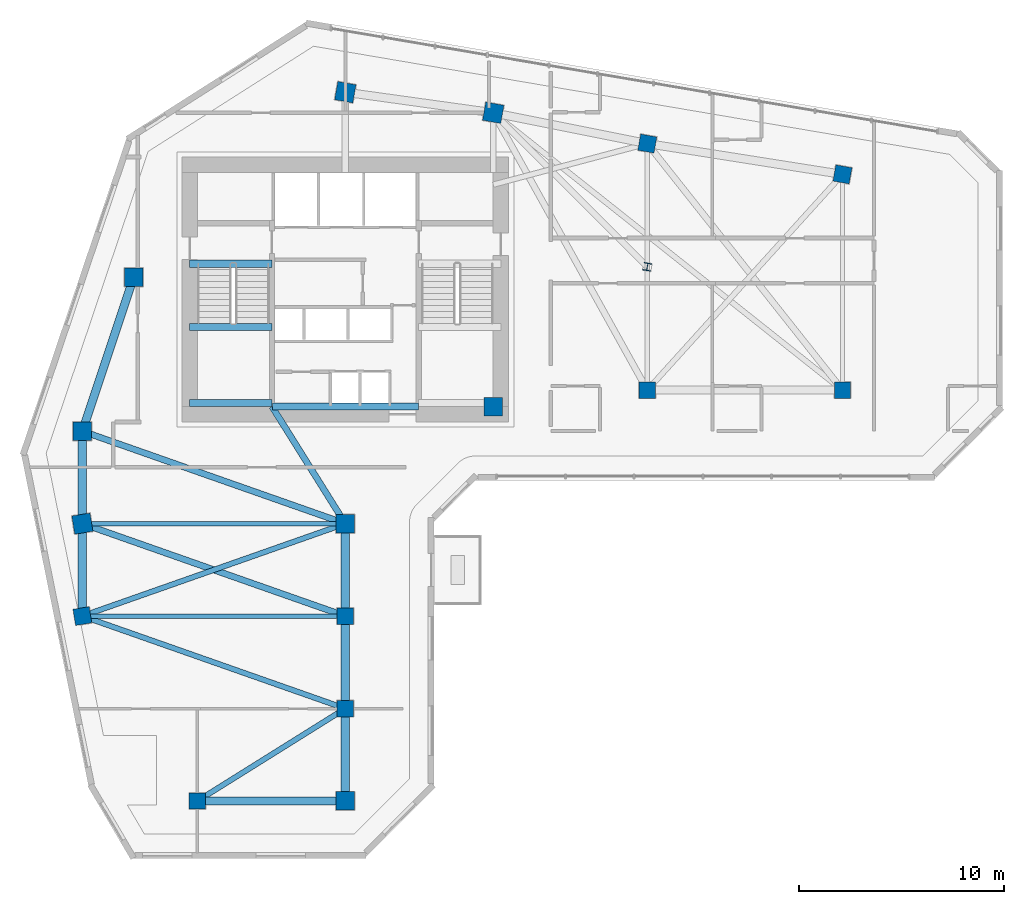
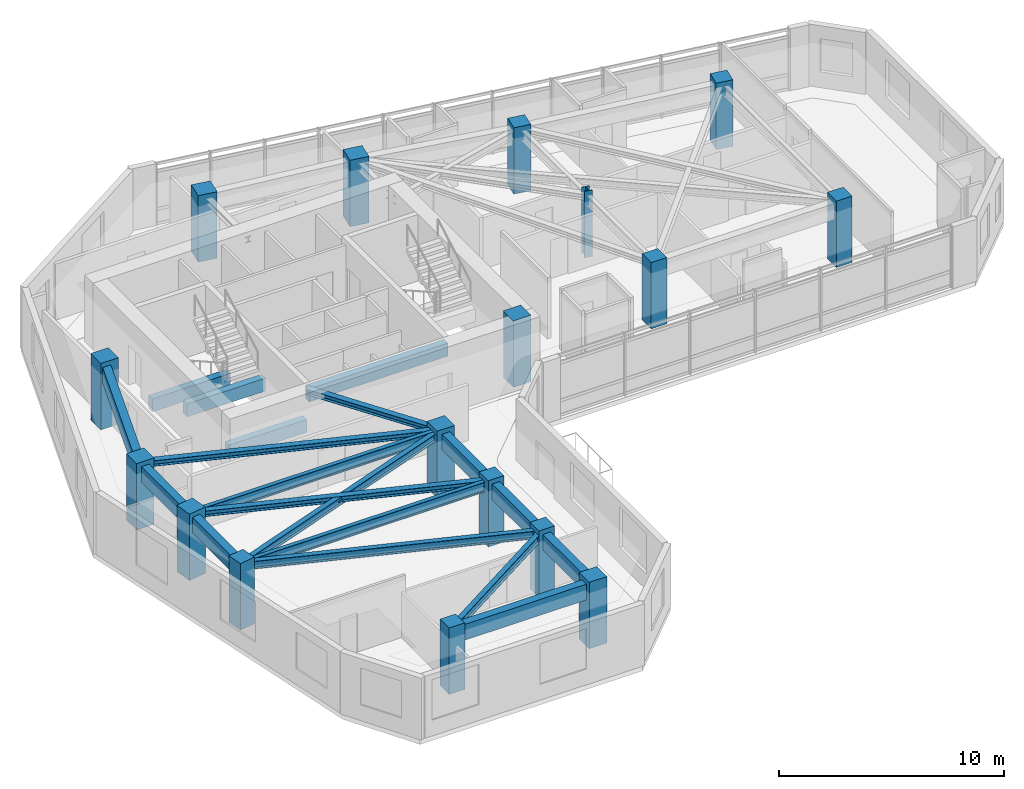
# One storey, part 1 of 10: 19 beams, 17 columns.
"""IFC4 building model written with IfcOpenShell, lengths in metres."""

from ifc_helpers import new_model, si_unit, direction, frame, origin, origin_2d, place, context, subcontext, project, spatial, rectangle, i_section, extrude, source, transform, mapped, material, material_profile, profile_set, type_object, element, save


model = new_model("IFC4")

# Units and contexts
model_context = context("Model", 3, precision=1e-05, world=origin(), true_north=direction((0.0, 1.0)))
body_context = subcontext(model_context, "Body", "Model", "MODEL_VIEW")
ifc_project = project(units=[si_unit("LENGTHUNIT", "METRE"), si_unit("AREAUNIT", "SQUARE_METRE"), si_unit("VOLUMEUNIT", "CUBIC_METRE"), si_unit("PLANEANGLEUNIT", "RADIAN"), si_unit("MASSUNIT", "GRAM", prefix="KILO")], contexts=[model_context])

# Site, building, storey
site_placement = place(None, origin())
site = spatial("IfcSite", under=ifc_project, at=site_placement, CompositionType="ELEMENT")
building_placement = place(site_placement, origin())
building = spatial("IfcBuilding", under=site, at=building_placement, Name="Calvemar Wedge Station Tower", CompositionType="ELEMENT")
storey_placement = place(building_placement, frame((0.0, 0.0, 153.800048828125)))
storey = spatial("IfcBuildingStorey", under=building, at=storey_placement, Name="L38", CompositionType="ELEMENT", Elevation=153.800048828125)

# Columns
ifc_material_1 = material(Name="Concrete C60", Category="concrete")
ifc_material_profile_1 = material_profile(ifc_material_1, rectangle(XDim=0.89990234375, YDim=0.89990234375, at=origin_2d()), Name="RC900x900")
ifc_profile_set_1 = profile_set([ifc_material_profile_1], Name="Concrete C60")
column_type_1 = type_object("IfcColumnType", Name="COL-C5-900", PredefinedType="COLUMN", material=ifc_profile_set_1)
shared_shape_1 = source(origin(), body_context, "Body", "SweptSolid", [
    extrude(rectangle(XDim=0.89990234375, YDim=0.89990234375, at=origin_2d()), origin(), (0.0, 0.0, 1.0), 3.599853515625),
])
for number, where, z_axis, x_axis, name in (
    (1, (11.0, 33.0, 0.0), (0.0, 0.0, 1.0), (1.0, 0.0, 0.0), "Storey L38 Column T-NW1"),
    (2, (13.5, 40.5, 0.0), (0.0, 0.0, 1.0), (1.0, 0.0, 0.0), "Storey L38 Column T-NW2"),
    (3, (23.800048828125, 49.5, 0.0), (0.0, 0.0, 1.0), (0.984195607969, -0.17708474032, 0.0), "Storey L38 Column T-N1"),
    (4, (31.0, 48.5, 0.0), (0.0, 0.0, 1.0), (0.984195607969, -0.17708474032, 0.0), "Storey L38 Column T-N2"),
    (5, (31.0, 34.199951171875, 0.0), (0.0, 0.0, 1.0), (1.0, 0.0, 0.0), "Storey L38 Column T-NL1"),
    (6, (11.0, 28.5, 0.0), (0.0, 0.0, 1.0), (0.158158067254, -0.987413806751, 0.0), "Storey L38 Column T-SW1"),
    (7, (23.800048828125, 28.5, 0.0), (0.0, 0.0, 1.0), (1.0, 0.0, 0.0), "Storey L38 Column T-SE1"),
    (8, (23.800048828125, 15.0, 0.0), (0.0, 0.0, 1.0), (1.0, 0.0, 0.0), "Storey L38 Column T-SE4"),
):
    element("IfcColumn", number, at=place(storey_placement, frame(where, z_axis=z_axis, x_axis=x_axis)), inside=storey, type_object=column_type_1, Name=name, PredefinedType="COLUMN", context=body_context, shape_type="MappedRepresentation", body=[
        mapped(shared_shape_1, transform((0.0, 0.0, 0.0), scale=1.0)),
    ])
ifc_material_2 = material(Name="Concrete C50", Category="concrete")
ifc_material_profile_2 = material_profile(ifc_material_2, rectangle(XDim=0.800048828125, YDim=0.800048828125, at=origin_2d()), Name="RC800x800")
ifc_profile_set_2 = profile_set([ifc_material_profile_2], Name="Concrete C50")
column_type_2 = type_object("IfcColumnType", Name="COL-C6-800", PredefinedType="COLUMN", material=ifc_profile_set_2)
shared_shape_2 = source(origin(), body_context, "Body", "SweptSolid", [
    extrude(rectangle(XDim=0.800048828125, YDim=0.800048828125, at=origin_2d()), origin(), (0.0, 0.0, 1.0), 3.599853515625),
])
for number, where, z_axis, x_axis, name in (
    (9, (38.5, 47.0, 0.0), (0.0, 0.0, 1.0), (0.984195607969, -0.17708474032, 0.0), "Storey L38 Column T-NU3"),
    (10, (48.0, 45.5, 0.0), (0.0, 0.0, 1.0), (0.984195607969, -0.17708474032, 0.0), "Storey L38 Column T-NU4"),
    (11, (38.5, 35.0, 0.0), (0.0, 0.0, 1.0), (1.0, 0.0, 0.0), "Storey L38 Column T-NL2"),
    (12, (48.0, 35.0, 0.0), (0.0, 0.0, 1.0), (1.0, 0.0, 0.0), "Storey L38 Column T-NL3"),
    (13, (11.0, 24.0, 0.0), (0.0, 0.0, 1.0), (0.158158067254, -0.987413806751, 0.0), "Storey L38 Column T-SW2"),
    (14, (23.800048828125, 24.0, 0.0), (0.0, 0.0, 1.0), (1.0, 0.0, 0.0), "Storey L38 Column T-SE2"),
    (15, (23.800048828125, 19.5, 0.0), (0.0, 0.0, 1.0), (1.0, 0.0, 0.0), "Storey L38 Column T-SE3"),
    (16, (16.60009765625, 15.0, 0.0), (0.0, 0.0, 1.0), (1.0, 0.0, 0.0), "Storey L38 Column T-SM1"),
):
    element("IfcColumn", number, at=place(storey_placement, frame(where, z_axis=z_axis, x_axis=x_axis)), inside=storey, type_object=column_type_2, Name=name, PredefinedType="COLUMN", context=body_context, shape_type="MappedRepresentation", body=[
        mapped(shared_shape_2, transform((0.0, 0.0, 0.0), scale=1.0)),
    ])
ifc_material_3 = material(Name="Structural steel ASTM A572 Grade 50", Category="steel")
ifc_material_profile_3 = material_profile(ifc_material_3, i_section(OverallWidth=0.3740234375, OverallDepth=0.3720703125, WebThickness=0.016357421875, FlangeThickness=0.026123046875, FilletRadius=0.014892578125, at=origin_2d()), Name="W360x196")
ifc_profile_set_3 = profile_set([ifc_material_profile_3], Name="Structural steel ASTM A572 Grade 50")
column_type_3 = type_object("IfcColumnType", Name="COL-STL-W360", PredefinedType="COLUMN", material=ifc_profile_set_3)
shared_shape_3 = source(origin(), body_context, "Body", "SweptSolid", [
    extrude(i_section(OverallWidth=0.3740234375, OverallDepth=0.3720703125, WebThickness=0.016357421875, FlangeThickness=0.026123046875, FilletRadius=0.014892578125, at=origin_2d()), origin(), (0.0, 0.0, 1.0), 3.599853515625),
])
column_placement = place(storey_placement, frame((38.5, 41.0, 0.0), z_axis=(0.0, 0.0, 1.0), x_axis=(0.984195607969, -0.17708474032, 0.0)))
element("IfcColumn", 17, at=column_placement, inside=storey, type_object=column_type_3, Name="Storey L38 Column T-NTIP-B", PredefinedType="COLUMN", context=body_context, shape_type="MappedRepresentation", body=[
    mapped(shared_shape_3, transform((0.0, 0.0, 0.0), scale=1.0)),
])

# Beams
ifc_material_profile_4 = material_profile(ifc_material_1, rectangle(XDim=0.39990234375, YDim=0.85009765625, at=origin_2d()), Name="RC400x850")
ifc_profile_set_4 = profile_set([ifc_material_profile_4], Name="Concrete C60")
beam_type_1 = type_object("IfcBeamType", Name="BM-SP1-850", PredefinedType="SPANDREL", material=ifc_profile_set_4)
shared_shape_4 = source(origin(), body_context, "Body", "SweptSolid", [
    extrude(rectangle(XDim=0.39990234375, YDim=0.85009765625, at=origin_2d()), origin(), (0.0, 0.0, 1.0), 7.90576171875),
])
beam_1_placement = place(storey_placement, frame((11.0, 33.0, 2.925048828125), z_axis=(0.316227766017, 0.948683298051, 0.0), x_axis=(-0.948683298051, 0.316227766017, 0.0)))
element("IfcBeam", 18, at=beam_1_placement, inside=storey, type_object=beam_type_1, Name="Storey L38 Spandrel T-NW1-T-NW2", PredefinedType="SPANDREL", context=body_context, shape_type="MappedRepresentation", body=[
    mapped(shared_shape_4, transform((0.0, 0.0, 0.0), scale=1.0)),
])
shared_shape_5 = source(origin(), body_context, "Body", "SweptSolid", [
    extrude(rectangle(XDim=0.39990234375, YDim=0.85009765625, at=origin_2d()), origin(), (0.0, 0.0, 1.0), 4.5),
])
for number, where, z_axis, x_axis, name in (
    (19, (11.0, 33.0, 2.925048828125), (0.0, -1.0, 0.0), (1.0, 0.0, 0.0), "Storey L38 Spandrel T-NW1-T-SW1"),
    (20, (11.0, 28.5, 2.925048828125), (0.0, -1.0, 0.0), (1.0, 0.0, 0.0), "Storey L38 Spandrel T-SW1-T-SW2"),
    (21, (23.800048828125, 28.5, 2.925048828125), (0.0, -1.0, 0.0), (1.0, 0.0, 0.0), "Storey L38 Spandrel T-SE1-T-SE2"),
    (22, (23.800048828125, 24.0, 2.925048828125), (0.0, -1.0, 0.0), (1.0, 0.0, 0.0), "Storey L38 Spandrel T-SE2-T-SE3"),
    (23, (23.800048828125, 19.5, 2.925048828125), (0.0, -1.0, 0.0), (1.0, 0.0, 0.0), "Storey L38 Spandrel T-SE3-T-SE4"),
):
    element("IfcBeam", number, at=place(storey_placement, frame(where, z_axis=z_axis, x_axis=x_axis)), inside=storey, type_object=beam_type_1, Name=name, PredefinedType="SPANDREL", context=body_context, shape_type="MappedRepresentation", body=[
        mapped(shared_shape_5, transform((0.0, 0.0, 0.0), scale=1.0)),
    ])
shared_shape_6 = source(origin(), body_context, "Body", "SweptSolid", [
    extrude(rectangle(XDim=0.39990234375, YDim=0.85009765625, at=origin_2d()), origin(), (0.0, 0.0, 1.0), 7.199951171875),
])
beam_2_placement = place(storey_placement, frame((16.60009765625, 15.0, 2.925048828125), z_axis=(1.0, 0.0, 0.0), x_axis=(0.0, 1.0, 0.0)))
element("IfcBeam", 24, at=beam_2_placement, inside=storey, type_object=beam_type_1, Name="Storey L38 Spandrel T-SM1-T-SE4", PredefinedType="SPANDREL", context=body_context, shape_type="MappedRepresentation", body=[
    mapped(shared_shape_6, transform((0.0, 0.0, 0.0), scale=1.0)),
])
ifc_material_4 = material(Name="Concrete C70", Category="concrete")
ifc_material_profile_5 = material_profile(ifc_material_4, rectangle(XDim=0.35009765625, YDim=0.699951171875, at=origin_2d()), Name="RC350x700")
ifc_profile_set_5 = profile_set([ifc_material_profile_5], Name="Concrete C70")
beam_type_2 = type_object("IfcBeamType", Name="BM-LN1-700", PredefinedType="LINTEL", material=ifc_profile_set_5)
shared_shape_7 = source(origin(), body_context, "Body", "SweptSolid", [
    extrude(rectangle(XDim=0.35009765625, YDim=0.699951171875, at=origin_2d()), origin(), (0.0, 0.0, 1.0), 7.10009765625),
])
beam_3_placement = place(storey_placement, frame((20.25, 34.199951171875, 3.0), z_axis=(1.0, 0.0, 0.0), x_axis=(0.0, 1.0, 0.0)))
element("IfcBeam", 25, at=beam_3_placement, inside=storey, type_object=beam_type_2, Name="Storey L38 Core Coupling Lintel South", PredefinedType="LINTEL", context=body_context, shape_type="MappedRepresentation", body=[
    mapped(shared_shape_7, transform((0.0, 0.0, 0.0), scale=1.0)),
])
ifc_material_profile_6 = material_profile(ifc_material_3, i_section(OverallWidth=0.304931640625, OverallDepth=0.30810546875, WebThickness=0.010009765625, FlangeThickness=0.015380859375, FilletRadius=0.014892578125, at=origin_2d()), Name="W310x97")
ifc_profile_set_6 = profile_set([ifc_material_profile_6], Name="Structural steel ASTM A572 Grade 50")
beam_type_3 = type_object("IfcBeamType", Name="BM-J6-W310", PredefinedType="JOIST", material=ifc_profile_set_6)
shared_shape_8 = source(origin(), body_context, "Body", "SweptSolid", [
    extrude(i_section(OverallWidth=0.304931640625, OverallDepth=0.30810546875, WebThickness=0.010009765625, FlangeThickness=0.015380859375, FilletRadius=0.014892578125, at=origin_2d()), origin(), (0.0, 0.0, 1.0), 13.568115234375),
])
for number, where, z_axis, x_axis, name in (
    (26, (11.0, 33.0, 3.196044921875), (0.943398221169, -0.331662171939, 0.0), (0.331662171939, 0.943398221169, 0.0), "Storey L38 Floor Beam T-NW1-T-SE1"),
    (27, (11.0, 28.5, 3.196044921875), (0.943398221169, -0.331662171939, 0.0), (0.331662171939, 0.943398221169, 0.0), "Storey L38 Floor Beam T-SW1-T-SE2"),
):
    element("IfcBeam", number, at=place(storey_placement, frame(where, z_axis=z_axis, x_axis=x_axis)), inside=storey, type_object=beam_type_3, Name=name, PredefinedType="JOIST", context=body_context, shape_type="MappedRepresentation", body=[
        mapped(shared_shape_8, transform((0.0, 0.0, 0.0), scale=1.0)),
    ])
ifc_material_profile_7 = material_profile(ifc_material_3, i_section(OverallWidth=0.260986328125, OverallDepth=0.419921875, WebThickness=0.01171875, FlangeThickness=0.019287109375, FilletRadius=0.012939453125, at=origin_2d()), Name="W410x114")
ifc_profile_set_7 = profile_set([ifc_material_profile_7], Name="Structural steel ASTM A572 Grade 50")
beam_type_4 = type_object("IfcBeamType", Name="BM-J2-W410H", PredefinedType="JOIST", material=ifc_profile_set_7)
shared_shape_9 = source(origin(), body_context, "Body", "SweptSolid", [
    extrude(i_section(OverallWidth=0.260986328125, OverallDepth=0.419921875, WebThickness=0.01171875, FlangeThickness=0.019287109375, FilletRadius=0.012939453125, at=origin_2d()), origin(), (0.0, 0.0, 1.0), 13.568115234375),
])
for number, where, z_axis, x_axis, name in (
    (28, (23.800048828125, 28.5, 3.139892578125), (-0.943398221169, -0.331662171939, 0.0), (0.331662171939, -0.943398221169, 0.0), "Storey L38 Floor Beam T-SE1-T-SW2"),
    (29, (11.0, 24.0, 3.139892578125), (0.943398221169, -0.331662171939, 0.0), (0.331662171939, 0.943398221169, 0.0), "Storey L38 Floor Beam T-SW2-T-SE3"),
):
    element("IfcBeam", number, at=place(storey_placement, frame(where, z_axis=z_axis, x_axis=x_axis)), inside=storey, type_object=beam_type_4, Name=name, PredefinedType="JOIST", context=body_context, shape_type="MappedRepresentation", body=[
        mapped(shared_shape_9, transform((0.0, 0.0, 0.0), scale=1.0)),
    ])
shared_shape_10 = source(origin(), body_context, "Body", "SweptSolid", [
    extrude(i_section(OverallWidth=0.260986328125, OverallDepth=0.419921875, WebThickness=0.01171875, FlangeThickness=0.019287109375, FilletRadius=0.012939453125, at=origin_2d()), origin(), (0.0, 0.0, 1.0), 8.490478515625),
])
beam_4_placement = place(storey_placement, frame((23.800048828125, 19.5, 3.139892578125), z_axis=(-0.847996688584, -0.530001524668, 0.0), x_axis=(0.530001524668, -0.847996688584, 0.0)))
element("IfcBeam", 30, at=beam_4_placement, inside=storey, type_object=beam_type_4, Name="Storey L38 Floor Beam T-SE3-T-SM1", PredefinedType="JOIST", context=body_context, shape_type="MappedRepresentation", body=[
    mapped(shared_shape_10, transform((0.0, 0.0, 0.0), scale=1.0)),
])
shared_shape_11 = source(origin(), body_context, "Body", "SweptSolid", [
    extrude(i_section(OverallWidth=0.304931640625, OverallDepth=0.30810546875, WebThickness=0.010009765625, FlangeThickness=0.015380859375, FilletRadius=0.014892578125, at=origin_2d()), origin(), (0.0, 0.0, 1.0), 6.7255859375),
])
beam_5_placement = place(storey_placement, frame((20.22998046875, 34.199951171875, 3.196044921875), z_axis=(0.530811158438, -0.847490126242, 0.0), x_axis=(0.847490126242, 0.530811158438, 0.0)))
element("IfcBeam", 31, at=beam_5_placement, inside=storey, type_object=beam_type_3, Name="Storey L38 Core-to-Column Joist CJ-S2", PredefinedType="JOIST", context=body_context, shape_type="MappedRepresentation", body=[
    mapped(shared_shape_11, transform((0.0, 0.0, 0.0), scale=1.0)),
])
shared_shape_12 = source(origin(), body_context, "Body", "SweptSolid", [
    extrude(rectangle(XDim=0.35009765625, YDim=0.699951171875, at=origin_2d()), origin(), (0.0, 0.0, 1.0), 4.0048828125),
])
for number, where, z_axis, x_axis, name in (
    (32, (16.22509765625, 41.14990234375, -0.35009765625), (1.0, 0.0, 0.0), (0.0, 1.0, 0.0), "Storey L38 Stair ST-C1 Landing Trimmer Beam"),
    (33, (16.22509765625, 34.3798828125, 1.25), (1.0, 0.0, 0.0), (0.0, 1.0, 0.0), "Storey L38 Stair ST-C1 Half-Landing Beam 1A"),
    (34, (16.22509765625, 38.070068359375, 1.25), (1.0, 0.0, 0.0), (0.0, 1.0, 0.0), "Storey L38 Stair ST-C1 Half-Landing Beam 1B"),
):
    element("IfcBeam", number, at=place(storey_placement, frame(where, z_axis=z_axis, x_axis=x_axis)), inside=storey, type_object=beam_type_2, Name=name, PredefinedType="LINTEL", context=body_context, shape_type="MappedRepresentation", body=[
        mapped(shared_shape_12, transform((0.0, 0.0, 0.0), scale=1.0)),
    ])
ifc_material_profile_8 = material_profile(ifc_material_3, i_section(OverallWidth=0.2109375, OverallDepth=0.5390625, WebThickness=0.01171875, FlangeThickness=0.018798828125, FilletRadius=0.012939453125, at=origin_2d()), Name="W530x109")
ifc_profile_set_8 = profile_set([ifc_material_profile_8], Name="Structural steel ASTM A572 Grade 50")
beam_type_5 = type_object("IfcBeamType", Name="BM-SB4-W530", PredefinedType="BEAM", material=ifc_profile_set_8)
shared_shape_13 = source(origin(), body_context, "Body", "SweptSolid", [
    extrude(i_section(OverallWidth=0.2109375, OverallDepth=0.5390625, WebThickness=0.01171875, FlangeThickness=0.018798828125, FilletRadius=0.012939453125, at=origin_2d()), origin(), (0.0, 0.0, 1.0), 12.800048828125),
])
for number, where, z_axis, x_axis, name in (
    (35, (11.0, 28.5, 3.08056640625), (1.0, 0.0, 0.0), (0.0, 1.0, 0.0), "Storey L38 Floor Beam T-SW1-T-SE1"),
    (36, (11.0, 24.0, 3.08056640625), (1.0, 0.0, 0.0), (0.0, 1.0, 0.0), "Storey L38 Floor Beam T-SW2-T-SE2"),
):
    element("IfcBeam", number, at=place(storey_placement, frame(where, z_axis=z_axis, x_axis=x_axis)), inside=storey, type_object=beam_type_5, Name=name, PredefinedType="BEAM", context=body_context, shape_type="MappedRepresentation", body=[
        mapped(shared_shape_13, transform((0.0, 0.0, 0.0), scale=1.0)),
    ])

save(model, "model.ifc")
